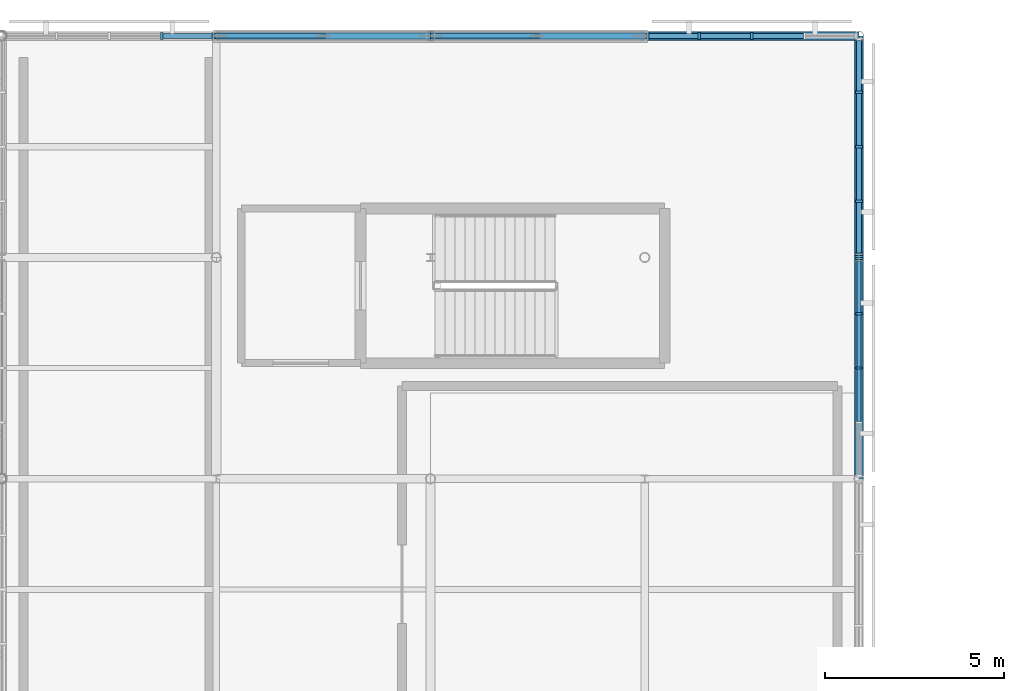
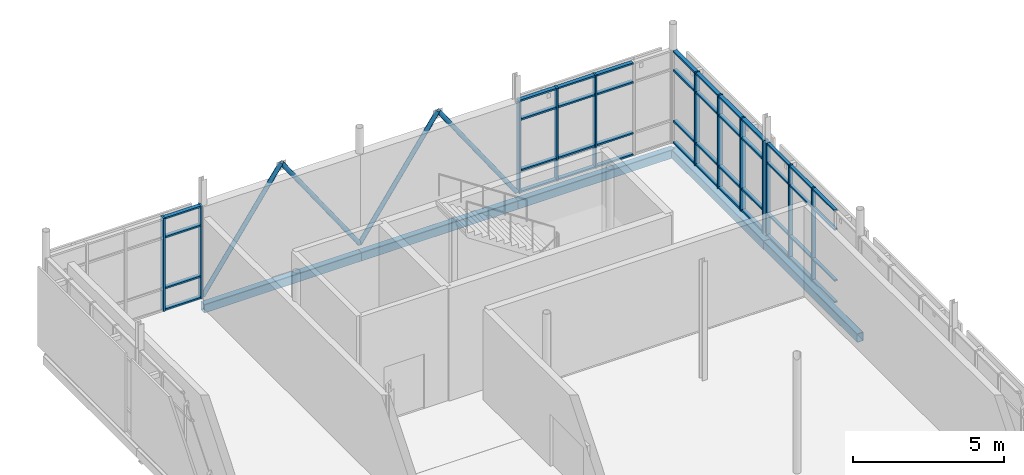
# One storey, part 34 of 48: 60 members, 5 beams, 4 elements without a shape of their own.
"""IFC4 building model written with IfcOpenShell, lengths in metres."""

from ifc_helpers import new_model, si_unit, direction, frame, origin, origin_2d, place, context, subcontext, project, spatial, rectangle, hollow_rectangle, hollow_circle, extrude, material, layer, layer_set, material_profile, profile_set, type_object, element, aggregate, save


model = new_model("IFC4")

# Units and contexts
model_context = context("Model", 3, precision=1e-05, world=origin(), true_north=direction((0.0, 1.0)))
body_context = subcontext(model_context, "Body", "Model", "MODEL_VIEW")
ifc_project = project(units=[si_unit("LENGTHUNIT", "METRE"), si_unit("AREAUNIT", "SQUARE_METRE"), si_unit("VOLUMEUNIT", "CUBIC_METRE"), si_unit("PLANEANGLEUNIT", "RADIAN"), si_unit("MASSUNIT", "GRAM", prefix="KILO")], contexts=[model_context])

# Site, building, storey
site_placement = place(None, origin())
site = spatial("IfcSite", under=ifc_project, at=site_placement, CompositionType="ELEMENT")
building_placement = place(site_placement, origin())
building = spatial("IfcBuilding", under=site, at=building_placement, Name="Mirzam Square Science Centre", CompositionType="ELEMENT")
storey_placement = place(building_placement, frame((0.0, 0.0, 20.39990234375)))
storey = spatial("IfcBuildingStorey", under=building, at=storey_placement, Name="L04", CompositionType="ELEMENT", Elevation=20.39990234375)

# Members
ifc_material_1 = material(Name="Steel S355", Category="steel")
ifc_material_profile_1 = material_profile(ifc_material_1, hollow_circle(Radius=0.084228515625, WallThickness=0.008056640625, at=origin_2d()), Name="168.3x8.0CHS")
ifc_profile_set_1 = profile_set([ifc_material_profile_1], Name="Steel S355")
member_type_1 = type_object("IfcMemberType", Name="BR-CHS168", PredefinedType="BRACE", material=ifc_profile_set_1)
for number, where, z_axis, x_axis, name in (
    (1, (120.0, 111.60009765625, 0.050048828125), (0.56995502797, 0.0, 0.821675888712), (0.0, 1.0, 0.0), "L04 chevron brace 8A"),
    (2, (126.0, 111.60009765625, 0.050048828125), (-0.56995502797, 0.0, 0.821675888712), (0.0, -1.0, 0.0), "L04 chevron brace 8B"),
    (3, (126.0, 111.60009765625, 0.050048828125), (0.56995502797, 0.0, 0.821675888712), (0.0, 1.0, 0.0), "L04 chevron brace 9A"),
    (4, (132.0, 111.60009765625, 0.050048828125), (-0.56995502797, 0.0, 0.821675888712), (0.0, -1.0, 0.0), "L04 chevron brace 9B"),
):
    element("IfcMember", number, at=place(storey_placement, frame(where, z_axis=z_axis, x_axis=x_axis)), inside=storey, type_object=member_type_1, Name=name, PredefinedType="BRACE", context=body_context, shape_type="SweptSolid", body=[
        extrude(hollow_circle(Radius=0.084228515625, WallThickness=0.008056640625, at=origin_2d()), origin(), (0.0, 0.0, 1.0), 5.263671875),
    ])

# Curtain wall, members
ifc_material_2 = material(Name="Anodised Aluminium and Low-E Solar Glass", Category="aluminium")
ifc_layer_1 = layer(ifc_material_2, 0.219970703125)
ifc_layer_set_1 = layer_set([ifc_layer_1], Name="CW-OBS-A")
curtain_wall_type_1 = type_object("IfcCurtainWallType", Name="CW-OBS-A", PredefinedType="USERDEFINED", material=ifc_layer_set_1)
curtain_wall_1_placement = place(storey_placement, origin())
curtain_wall_1 = element("IfcCurtainWall", 5, at=curtain_wall_1_placement, inside=storey, type_object=curtain_wall_type_1, Name="L04 unitised curtain wall 163", ObjectType="UNITISED CURTAIN WALL", PredefinedType="USERDEFINED")
ifc_material_3 = material(Name="Anodised Architectural Aluminium 6063-T6", Category="aluminium")
ifc_material_profile_2 = material_profile(ifc_material_3, rectangle(XDim=0.06005859375, YDim=0.159912109375, at=origin_2d()), Name="ALU-MULL-160x60x4")
ifc_profile_set_2 = profile_set([ifc_material_profile_2], Name="Anodised Architectural Aluminium 6063-T6")
member_type_2 = type_object("IfcMemberType", Name="CWM-160", PredefinedType="MULLION", material=ifc_profile_set_2)
member_1_placement = place(storey_placement, frame((138.0, 102.300048828125, 0.0), z_axis=(0.0, 0.0, 1.0), x_axis=(0.0, 1.0, 0.0)))
member_1 = element("IfcMember", 6, at=member_1_placement, type_object=member_type_2, Name="CW-07 mullion 3", PredefinedType="MULLION", context=body_context, shape_type="SweptSolid", body=[
    extrude(rectangle(XDim=0.06005859375, YDim=0.159912109375, at=origin_2d()), origin(), (0.0, 0.0, 1.0), 3.760009765625),
])
member_2_placement = place(storey_placement, frame((138.0, 103.822509765625, 0.0), z_axis=(0.0, 0.0, 1.0), x_axis=(0.0, 1.0, 0.0)))
member_2 = element("IfcMember", 7, at=member_2_placement, type_object=member_type_2, Name="CW-07 mullion 4", PredefinedType="MULLION", context=body_context, shape_type="SweptSolid", body=[
    extrude(rectangle(XDim=0.06005859375, YDim=0.159912109375, at=origin_2d()), origin(), (0.0, 0.0, 1.0), 3.760009765625),
])
member_3_placement = place(storey_placement, frame((138.0, 105.31494140625, 0.0), z_axis=(0.0, 0.0, 1.0), x_axis=(0.0, 1.0, 0.0)))
member_3 = element("IfcMember", 8, at=member_3_placement, type_object=member_type_2, Name="CW-07 mullion 5", PredefinedType="MULLION", context=body_context, shape_type="SweptSolid", body=[
    extrude(rectangle(XDim=0.06005859375, YDim=0.159912109375, at=origin_2d()), origin(), (0.0, 0.0, 1.0), 3.760009765625),
])

ifc_layer_2 = layer(ifc_material_2, 0.159912109375)
ifc_layer_set_2 = layer_set([ifc_layer_2], Name="CW-COURT-B")
curtain_wall_type_2 = type_object("IfcCurtainWallType", Name="CW-COURT-B", PredefinedType="USERDEFINED", material=ifc_layer_set_2)
curtain_wall_2_placement = place(storey_placement, origin())
curtain_wall_2 = element("IfcCurtainWall", 9, at=curtain_wall_2_placement, inside=storey, type_object=curtain_wall_type_2, Name="L04 unitised curtain wall 156", ObjectType="UNITISED CURTAIN WALL", PredefinedType="USERDEFINED")
ifc_material_profile_3 = material_profile(ifc_material_3, rectangle(XDim=0.06494140625, YDim=0.199951171875, at=origin_2d()), Name="ALU-MULL-200x65x5")
ifc_profile_set_3 = profile_set([ifc_material_profile_3], Name="Anodised Architectural Aluminium 6063-T6")
member_type_3 = type_object("IfcMemberType", Name="CWM-200", PredefinedType="MULLION", material=ifc_profile_set_3)
member_4_placement = place(storey_placement, frame((119.91259765625, 111.60009765625, 0.0), z_axis=(0.0, 0.0, 1.0), x_axis=(-1.0, 0.0, 0.0)))
member_4 = element("IfcMember", 10, at=member_4_placement, type_object=member_type_3, Name="CW-04 mullion 1", PredefinedType="MULLION", context=body_context, shape_type="SweptSolid", body=[
    extrude(rectangle(XDim=0.06494140625, YDim=0.199951171875, at=origin_2d()), origin(), (0.0, 0.0, 1.0), 3.760009765625),
])
member_5_placement = place(storey_placement, frame((118.472412109375, 111.60009765625, 0.0), z_axis=(0.0, 0.0, 1.0), x_axis=(-1.0, 0.0, 0.0)))
member_5 = element("IfcMember", 11, at=member_5_placement, type_object=member_type_3, Name="CW-04 mullion 2", PredefinedType="MULLION", context=body_context, shape_type="SweptSolid", body=[
    extrude(rectangle(XDim=0.06494140625, YDim=0.199951171875, at=origin_2d()), origin(), (0.0, 0.0, 1.0), 3.760009765625),
])

curtain_wall_3_placement = place(storey_placement, origin())
curtain_wall_3 = element("IfcCurtainWall", 12, at=curtain_wall_3_placement, inside=storey, type_object=curtain_wall_type_1, Name="L04 unitised curtain wall 157", ObjectType="UNITISED CURTAIN WALL", PredefinedType="USERDEFINED")
member_6_placement = place(storey_placement, frame((135.0, 111.60009765625, 0.0), z_axis=(0.0, 0.0, 1.0), x_axis=(-1.0, 0.0, 0.0)))
member_6 = element("IfcMember", 13, at=member_6_placement, type_object=member_type_3, Name="CW-07 mullion 3", PredefinedType="MULLION", context=body_context, shape_type="SweptSolid", body=[
    extrude(rectangle(XDim=0.06494140625, YDim=0.199951171875, at=origin_2d()), origin(), (0.0, 0.0, 1.0), 3.760009765625),
])
member_7_placement = place(storey_placement, frame((133.527587890625, 111.60009765625, 0.0), z_axis=(0.0, 0.0, 1.0), x_axis=(-1.0, 0.0, 0.0)))
member_7 = element("IfcMember", 14, at=member_7_placement, type_object=member_type_3, Name="CW-07 mullion 4", PredefinedType="MULLION", context=body_context, shape_type="SweptSolid", body=[
    extrude(rectangle(XDim=0.06494140625, YDim=0.199951171875, at=origin_2d()), origin(), (0.0, 0.0, 1.0), 3.760009765625),
])
member_8_placement = place(storey_placement, frame((132.08740234375, 111.60009765625, 0.0), z_axis=(0.0, 0.0, 1.0), x_axis=(-1.0, 0.0, 0.0)))
member_8 = element("IfcMember", 15, at=member_8_placement, type_object=member_type_3, Name="CW-07 mullion 5", PredefinedType="MULLION", context=body_context, shape_type="SweptSolid", body=[
    extrude(rectangle(XDim=0.06494140625, YDim=0.199951171875, at=origin_2d()), origin(), (0.0, 0.0, 1.0), 3.760009765625),
])

ifc_layer_3 = layer(ifc_material_2, 0.179931640625)
ifc_layer_set_3 = layer_set([ifc_layer_3], Name="CW-LINK-A")
curtain_wall_type_3 = type_object("IfcCurtainWallType", Name="CW-LINK-A", PredefinedType="USERDEFINED", material=ifc_layer_set_3)
curtain_wall_4_placement = place(storey_placement, origin())
curtain_wall_4 = element("IfcCurtainWall", 16, at=curtain_wall_4_placement, inside=storey, type_object=curtain_wall_type_3, Name="L04 unitised curtain wall 165", ObjectType="UNITISED CURTAIN WALL", PredefinedType="USERDEFINED")
member_9_placement = place(storey_placement, frame((138.0, 105.487548828125, 0.0), z_axis=(0.0, 0.0, 1.0), x_axis=(0.0, 1.0, 0.0)))
member_9 = element("IfcMember", 17, at=member_9_placement, type_object=member_type_3, Name="CW-08 mullion 1", PredefinedType="MULLION", context=body_context, shape_type="SweptSolid", body=[
    extrude(rectangle(XDim=0.06494140625, YDim=0.199951171875, at=origin_2d()), origin(), (0.0, 0.0, 1.0), 3.760009765625),
])
member_10_placement = place(storey_placement, frame((138.0, 106.9775390625, 0.0), z_axis=(0.0, 0.0, 1.0), x_axis=(0.0, 1.0, 0.0)))
member_10 = element("IfcMember", 18, at=member_10_placement, type_object=member_type_3, Name="CW-08 mullion 2", PredefinedType="MULLION", context=body_context, shape_type="SweptSolid", body=[
    extrude(rectangle(XDim=0.06494140625, YDim=0.199951171875, at=origin_2d()), origin(), (0.0, 0.0, 1.0), 3.760009765625),
])
member_11_placement = place(storey_placement, frame((138.0, 108.5, 0.0), z_axis=(0.0, 0.0, 1.0), x_axis=(0.0, 1.0, 0.0)))
member_11 = element("IfcMember", 19, at=member_11_placement, type_object=member_type_3, Name="CW-08 mullion 3", PredefinedType="MULLION", context=body_context, shape_type="SweptSolid", body=[
    extrude(rectangle(XDim=0.06494140625, YDim=0.199951171875, at=origin_2d()), origin(), (0.0, 0.0, 1.0), 3.760009765625),
])
member_12_placement = place(storey_placement, frame((138.0, 110.0224609375, 0.0), z_axis=(0.0, 0.0, 1.0), x_axis=(0.0, 1.0, 0.0)))
member_12 = element("IfcMember", 20, at=member_12_placement, type_object=member_type_3, Name="CW-08 mullion 4", PredefinedType="MULLION", context=body_context, shape_type="SweptSolid", body=[
    extrude(rectangle(XDim=0.06494140625, YDim=0.199951171875, at=origin_2d()), origin(), (0.0, 0.0, 1.0), 3.760009765625),
])

# Member
ifc_material_profile_4 = material_profile(ifc_material_3, rectangle(XDim=0.1201171875, YDim=0.06005859375, at=origin_2d()), Name="ALU-TRAN-120x60x4")
ifc_profile_set_4 = profile_set([ifc_material_profile_4], Name="Anodised Architectural Aluminium 6063-T6")
member_type_4 = type_object("IfcMemberType", Name="CWT-120", PredefinedType="USERDEFINED", material=ifc_profile_set_4)
member_13_placement = place(storey_placement, frame((138.0, 100.8076171875, 0.030029296875), z_axis=(0.0, 1.0, 0.0), x_axis=(-1.0, 0.0, 0.0)))
member_13 = element("IfcMember", 21, at=member_13_placement, type_object=member_type_4, Name="CW-07 transom 2.1", ObjectType="TRANSOM", PredefinedType="USERDEFINED", context=body_context, shape_type="SweptSolid", body=[
    extrude(rectangle(XDim=0.1201171875, YDim=0.06005859375, at=origin_2d()), origin(), (0.0, 0.0, 1.0), 1.46240234375),
])

member_14_placement = place(storey_placement, frame((138.0, 100.8076171875, 0.900146484375), z_axis=(0.0, 1.0, 0.0), x_axis=(-1.0, 0.0, 0.0)))
member_14 = element("IfcMember", 22, at=member_14_placement, type_object=member_type_4, Name="CW-07 transom 2.2", ObjectType="TRANSOM", PredefinedType="USERDEFINED", context=body_context, shape_type="SweptSolid", body=[
    extrude(rectangle(XDim=0.1201171875, YDim=0.06005859375, at=origin_2d()), origin(), (0.0, 0.0, 1.0), 1.46240234375),
])

member_15_placement = place(storey_placement, frame((138.0, 100.8076171875, 2.960205078125), z_axis=(0.0, 1.0, 0.0), x_axis=(-1.0, 0.0, 0.0)))
member_15 = element("IfcMember", 23, at=member_15_placement, type_object=member_type_4, Name="CW-07 transom 2.3", ObjectType="TRANSOM", PredefinedType="USERDEFINED", context=body_context, shape_type="SweptSolid", body=[
    extrude(rectangle(XDim=0.1201171875, YDim=0.06005859375, at=origin_2d()), origin(), (0.0, 0.0, 1.0), 1.46240234375),
])

member_16_placement = place(storey_placement, frame((138.0, 100.8076171875, 3.72998046875), z_axis=(0.0, 1.0, 0.0), x_axis=(-1.0, 0.0, 0.0)))
member_16 = element("IfcMember", 24, at=member_16_placement, type_object=member_type_4, Name="CW-07 transom 2.4", ObjectType="TRANSOM", PredefinedType="USERDEFINED", context=body_context, shape_type="SweptSolid", body=[
    extrude(rectangle(XDim=0.1201171875, YDim=0.06005859375, at=origin_2d()), origin(), (0.0, 0.0, 1.0), 1.46240234375),
])

member_17_placement = place(storey_placement, frame((138.0, 102.330078125, 0.030029296875), z_axis=(0.0, 1.0, 0.0), x_axis=(-1.0, 0.0, 0.0)))
member_17 = element("IfcMember", 25, at=member_17_placement, type_object=member_type_4, Name="CW-07 transom 3.1", ObjectType="TRANSOM", PredefinedType="USERDEFINED", context=body_context, shape_type="SweptSolid", body=[
    extrude(rectangle(XDim=0.1201171875, YDim=0.06005859375, at=origin_2d()), origin(), (0.0, 0.0, 1.0), 1.46240234375),
])

member_18_placement = place(storey_placement, frame((138.0, 102.330078125, 0.900146484375), z_axis=(0.0, 1.0, 0.0), x_axis=(-1.0, 0.0, 0.0)))
member_18 = element("IfcMember", 26, at=member_18_placement, type_object=member_type_4, Name="CW-07 transom 3.2", ObjectType="TRANSOM", PredefinedType="USERDEFINED", context=body_context, shape_type="SweptSolid", body=[
    extrude(rectangle(XDim=0.1201171875, YDim=0.06005859375, at=origin_2d()), origin(), (0.0, 0.0, 1.0), 1.46240234375),
])

member_19_placement = place(storey_placement, frame((138.0, 102.330078125, 2.960205078125), z_axis=(0.0, 1.0, 0.0), x_axis=(-1.0, 0.0, 0.0)))
member_19 = element("IfcMember", 27, at=member_19_placement, type_object=member_type_4, Name="CW-07 transom 3.3", ObjectType="TRANSOM", PredefinedType="USERDEFINED", context=body_context, shape_type="SweptSolid", body=[
    extrude(rectangle(XDim=0.1201171875, YDim=0.06005859375, at=origin_2d()), origin(), (0.0, 0.0, 1.0), 1.46240234375),
])

member_20_placement = place(storey_placement, frame((138.0, 102.330078125, 3.72998046875), z_axis=(0.0, 1.0, 0.0), x_axis=(-1.0, 0.0, 0.0)))
member_20 = element("IfcMember", 28, at=member_20_placement, type_object=member_type_4, Name="CW-07 transom 3.4", ObjectType="TRANSOM", PredefinedType="USERDEFINED", context=body_context, shape_type="SweptSolid", body=[
    extrude(rectangle(XDim=0.1201171875, YDim=0.06005859375, at=origin_2d()), origin(), (0.0, 0.0, 1.0), 1.46240234375),
])

member_21_placement = place(storey_placement, frame((138.0, 103.8525390625, 0.030029296875), z_axis=(0.0, 1.0, 0.0), x_axis=(-1.0, 0.0, 0.0)))
member_21 = element("IfcMember", 29, at=member_21_placement, type_object=member_type_4, Name="CW-07 transom 4.1", ObjectType="TRANSOM", PredefinedType="USERDEFINED", context=body_context, shape_type="SweptSolid", body=[
    extrude(rectangle(XDim=0.1201171875, YDim=0.06005859375, at=origin_2d()), origin(), (0.0, 0.0, 1.0), 1.432373046875),
])

member_22_placement = place(storey_placement, frame((138.0, 103.8525390625, 0.900146484375), z_axis=(0.0, 1.0, 0.0), x_axis=(-1.0, 0.0, 0.0)))
member_22 = element("IfcMember", 30, at=member_22_placement, type_object=member_type_4, Name="CW-07 transom 4.2", ObjectType="TRANSOM", PredefinedType="USERDEFINED", context=body_context, shape_type="SweptSolid", body=[
    extrude(rectangle(XDim=0.1201171875, YDim=0.06005859375, at=origin_2d()), origin(), (0.0, 0.0, 1.0), 1.432373046875),
])

member_23_placement = place(storey_placement, frame((138.0, 103.8525390625, 2.960205078125), z_axis=(0.0, 1.0, 0.0), x_axis=(-1.0, 0.0, 0.0)))
member_23 = element("IfcMember", 31, at=member_23_placement, type_object=member_type_4, Name="CW-07 transom 4.3", ObjectType="TRANSOM", PredefinedType="USERDEFINED", context=body_context, shape_type="SweptSolid", body=[
    extrude(rectangle(XDim=0.1201171875, YDim=0.06005859375, at=origin_2d()), origin(), (0.0, 0.0, 1.0), 1.432373046875),
])

member_24_placement = place(storey_placement, frame((138.0, 103.8525390625, 3.72998046875), z_axis=(0.0, 1.0, 0.0), x_axis=(-1.0, 0.0, 0.0)))
member_24 = element("IfcMember", 32, at=member_24_placement, type_object=member_type_4, Name="CW-07 transom 4.4", ObjectType="TRANSOM", PredefinedType="USERDEFINED", context=body_context, shape_type="SweptSolid", body=[
    extrude(rectangle(XDim=0.1201171875, YDim=0.06005859375, at=origin_2d()), origin(), (0.0, 0.0, 1.0), 1.432373046875),
])

aggregate(curtain_wall_1, [member_1, member_2, member_3, member_13, member_14, member_15, member_16, member_17, member_18, member_19, member_20, member_21, member_22, member_23, member_24])

ifc_material_profile_5 = material_profile(ifc_material_3, rectangle(XDim=0.14990234375, YDim=0.06494140625, at=origin_2d()), Name="ALU-TRAN-150x65x4")
ifc_profile_set_5 = profile_set([ifc_material_profile_5], Name="Anodised Architectural Aluminium 6063-T6")
member_type_5 = type_object("IfcMemberType", Name="CWT-150", PredefinedType="USERDEFINED", material=ifc_profile_set_5)
member_25_placement = place(storey_placement, frame((119.8798828125, 111.60009765625, 0.03271484375), z_axis=(-1.0, 0.0, 0.0), x_axis=(0.0, -1.0, 0.0)))
member_25 = element("IfcMember", 33, at=member_25_placement, type_object=member_type_5, Name="CW-04 transom 1.1", ObjectType="TRANSOM", PredefinedType="USERDEFINED", context=body_context, shape_type="SweptSolid", body=[
    extrude(rectangle(XDim=0.14990234375, YDim=0.06494140625, at=origin_2d()), origin(), (0.0, 0.0, 1.0), 1.375),
])

member_26_placement = place(storey_placement, frame((119.8798828125, 111.60009765625, 0.900146484375), z_axis=(-1.0, 0.0, 0.0), x_axis=(0.0, -1.0, 0.0)))
member_26 = element("IfcMember", 34, at=member_26_placement, type_object=member_type_5, Name="CW-04 transom 1.2", ObjectType="TRANSOM", PredefinedType="USERDEFINED", context=body_context, shape_type="SweptSolid", body=[
    extrude(rectangle(XDim=0.14990234375, YDim=0.06494140625, at=origin_2d()), origin(), (0.0, 0.0, 1.0), 1.375),
])

member_27_placement = place(storey_placement, frame((119.8798828125, 111.60009765625, 2.960205078125), z_axis=(-1.0, 0.0, 0.0), x_axis=(0.0, -1.0, 0.0)))
member_27 = element("IfcMember", 35, at=member_27_placement, type_object=member_type_5, Name="CW-04 transom 1.3", ObjectType="TRANSOM", PredefinedType="USERDEFINED", context=body_context, shape_type="SweptSolid", body=[
    extrude(rectangle(XDim=0.14990234375, YDim=0.06494140625, at=origin_2d()), origin(), (0.0, 0.0, 1.0), 1.375),
])

member_28_placement = place(storey_placement, frame((119.8798828125, 111.60009765625, 3.7275390625), z_axis=(-1.0, 0.0, 0.0), x_axis=(0.0, -1.0, 0.0)))
member_28 = element("IfcMember", 36, at=member_28_placement, type_object=member_type_5, Name="CW-04 transom 1.4", ObjectType="TRANSOM", PredefinedType="USERDEFINED", context=body_context, shape_type="SweptSolid", body=[
    extrude(rectangle(XDim=0.14990234375, YDim=0.06494140625, at=origin_2d()), origin(), (0.0, 0.0, 1.0), 1.375),
])

aggregate(curtain_wall_2, [member_4, member_5, member_25, member_26, member_27, member_28])

member_29_placement = place(storey_placement, frame((136.43994140625, 111.60009765625, 0.03271484375), z_axis=(-1.0, 0.0, 0.0), x_axis=(0.0, -1.0, 0.0)))
member_29 = element("IfcMember", 37, at=member_29_placement, type_object=member_type_5, Name="CW-07 transom 2.1", ObjectType="TRANSOM", PredefinedType="USERDEFINED", context=body_context, shape_type="SweptSolid", body=[
    extrude(rectangle(XDim=0.14990234375, YDim=0.06494140625, at=origin_2d()), origin(), (0.0, 0.0, 1.0), 1.407470703125),
])

member_30_placement = place(storey_placement, frame((136.43994140625, 111.60009765625, 0.900146484375), z_axis=(-1.0, 0.0, 0.0), x_axis=(0.0, -1.0, 0.0)))
member_30 = element("IfcMember", 38, at=member_30_placement, type_object=member_type_5, Name="CW-07 transom 2.2", ObjectType="TRANSOM", PredefinedType="USERDEFINED", context=body_context, shape_type="SweptSolid", body=[
    extrude(rectangle(XDim=0.14990234375, YDim=0.06494140625, at=origin_2d()), origin(), (0.0, 0.0, 1.0), 1.407470703125),
])

member_31_placement = place(storey_placement, frame((136.43994140625, 111.60009765625, 2.960205078125), z_axis=(-1.0, 0.0, 0.0), x_axis=(0.0, -1.0, 0.0)))
member_31 = element("IfcMember", 39, at=member_31_placement, type_object=member_type_5, Name="CW-07 transom 2.3", ObjectType="TRANSOM", PredefinedType="USERDEFINED", context=body_context, shape_type="SweptSolid", body=[
    extrude(rectangle(XDim=0.14990234375, YDim=0.06494140625, at=origin_2d()), origin(), (0.0, 0.0, 1.0), 1.407470703125),
])

member_32_placement = place(storey_placement, frame((136.43994140625, 111.60009765625, 3.7275390625), z_axis=(-1.0, 0.0, 0.0), x_axis=(0.0, -1.0, 0.0)))
member_32 = element("IfcMember", 40, at=member_32_placement, type_object=member_type_5, Name="CW-07 transom 2.4", ObjectType="TRANSOM", PredefinedType="USERDEFINED", context=body_context, shape_type="SweptSolid", body=[
    extrude(rectangle(XDim=0.14990234375, YDim=0.06494140625, at=origin_2d()), origin(), (0.0, 0.0, 1.0), 1.407470703125),
])

member_33_placement = place(storey_placement, frame((134.967529296875, 111.60009765625, 0.03271484375), z_axis=(-1.0, 0.0, 0.0), x_axis=(0.0, -1.0, 0.0)))
member_33 = element("IfcMember", 41, at=member_33_placement, type_object=member_type_5, Name="CW-07 transom 3.1", ObjectType="TRANSOM", PredefinedType="USERDEFINED", context=body_context, shape_type="SweptSolid", body=[
    extrude(rectangle(XDim=0.14990234375, YDim=0.06494140625, at=origin_2d()), origin(), (0.0, 0.0, 1.0), 1.407470703125),
])

member_34_placement = place(storey_placement, frame((134.967529296875, 111.60009765625, 0.900146484375), z_axis=(-1.0, 0.0, 0.0), x_axis=(0.0, -1.0, 0.0)))
member_34 = element("IfcMember", 42, at=member_34_placement, type_object=member_type_5, Name="CW-07 transom 3.2", ObjectType="TRANSOM", PredefinedType="USERDEFINED", context=body_context, shape_type="SweptSolid", body=[
    extrude(rectangle(XDim=0.14990234375, YDim=0.06494140625, at=origin_2d()), origin(), (0.0, 0.0, 1.0), 1.407470703125),
])

member_35_placement = place(storey_placement, frame((134.967529296875, 111.60009765625, 2.960205078125), z_axis=(-1.0, 0.0, 0.0), x_axis=(0.0, -1.0, 0.0)))
member_35 = element("IfcMember", 43, at=member_35_placement, type_object=member_type_5, Name="CW-07 transom 3.3", ObjectType="TRANSOM", PredefinedType="USERDEFINED", context=body_context, shape_type="SweptSolid", body=[
    extrude(rectangle(XDim=0.14990234375, YDim=0.06494140625, at=origin_2d()), origin(), (0.0, 0.0, 1.0), 1.407470703125),
])

member_36_placement = place(storey_placement, frame((134.967529296875, 111.60009765625, 3.7275390625), z_axis=(-1.0, 0.0, 0.0), x_axis=(0.0, -1.0, 0.0)))
member_36 = element("IfcMember", 44, at=member_36_placement, type_object=member_type_5, Name="CW-07 transom 3.4", ObjectType="TRANSOM", PredefinedType="USERDEFINED", context=body_context, shape_type="SweptSolid", body=[
    extrude(rectangle(XDim=0.14990234375, YDim=0.06494140625, at=origin_2d()), origin(), (0.0, 0.0, 1.0), 1.407470703125),
])

member_37_placement = place(storey_placement, frame((133.4951171875, 111.60009765625, 0.03271484375), z_axis=(-1.0, 0.0, 0.0), x_axis=(0.0, -1.0, 0.0)))
member_37 = element("IfcMember", 45, at=member_37_placement, type_object=member_type_5, Name="CW-07 transom 4.1", ObjectType="TRANSOM", PredefinedType="USERDEFINED", context=body_context, shape_type="SweptSolid", body=[
    extrude(rectangle(XDim=0.14990234375, YDim=0.06494140625, at=origin_2d()), origin(), (0.0, 0.0, 1.0), 1.375),
])

member_38_placement = place(storey_placement, frame((133.4951171875, 111.60009765625, 0.900146484375), z_axis=(-1.0, 0.0, 0.0), x_axis=(0.0, -1.0, 0.0)))
member_38 = element("IfcMember", 46, at=member_38_placement, type_object=member_type_5, Name="CW-07 transom 4.2", ObjectType="TRANSOM", PredefinedType="USERDEFINED", context=body_context, shape_type="SweptSolid", body=[
    extrude(rectangle(XDim=0.14990234375, YDim=0.06494140625, at=origin_2d()), origin(), (0.0, 0.0, 1.0), 1.375),
])

member_39_placement = place(storey_placement, frame((133.4951171875, 111.60009765625, 2.960205078125), z_axis=(-1.0, 0.0, 0.0), x_axis=(0.0, -1.0, 0.0)))
member_39 = element("IfcMember", 47, at=member_39_placement, type_object=member_type_5, Name="CW-07 transom 4.3", ObjectType="TRANSOM", PredefinedType="USERDEFINED", context=body_context, shape_type="SweptSolid", body=[
    extrude(rectangle(XDim=0.14990234375, YDim=0.06494140625, at=origin_2d()), origin(), (0.0, 0.0, 1.0), 1.375),
])

member_40_placement = place(storey_placement, frame((133.4951171875, 111.60009765625, 3.7275390625), z_axis=(-1.0, 0.0, 0.0), x_axis=(0.0, -1.0, 0.0)))
member_40 = element("IfcMember", 48, at=member_40_placement, type_object=member_type_5, Name="CW-07 transom 4.4", ObjectType="TRANSOM", PredefinedType="USERDEFINED", context=body_context, shape_type="SweptSolid", body=[
    extrude(rectangle(XDim=0.14990234375, YDim=0.06494140625, at=origin_2d()), origin(), (0.0, 0.0, 1.0), 1.375),
])

aggregate(curtain_wall_3, [member_6, member_7, member_8, member_29, member_30, member_31, member_32, member_33, member_34, member_35, member_36, member_37, member_38, member_39, member_40])

member_41_placement = place(storey_placement, frame((138.0, 105.52001953125, 0.03271484375), z_axis=(0.0, 1.0, 0.0), x_axis=(-1.0, 0.0, 0.0)))
member_41 = element("IfcMember", 49, at=member_41_placement, type_object=member_type_5, Name="CW-08 transom 1.1", ObjectType="TRANSOM", PredefinedType="USERDEFINED", context=body_context, shape_type="SweptSolid", body=[
    extrude(rectangle(XDim=0.14990234375, YDim=0.06494140625, at=origin_2d()), origin(), (0.0, 0.0, 1.0), 1.425048828125),
])

member_42_placement = place(storey_placement, frame((138.0, 105.52001953125, 0.900146484375), z_axis=(0.0, 1.0, 0.0), x_axis=(-1.0, 0.0, 0.0)))
member_42 = element("IfcMember", 50, at=member_42_placement, type_object=member_type_5, Name="CW-08 transom 1.2", ObjectType="TRANSOM", PredefinedType="USERDEFINED", context=body_context, shape_type="SweptSolid", body=[
    extrude(rectangle(XDim=0.14990234375, YDim=0.06494140625, at=origin_2d()), origin(), (0.0, 0.0, 1.0), 1.425048828125),
])

member_43_placement = place(storey_placement, frame((138.0, 105.52001953125, 2.960205078125), z_axis=(0.0, 1.0, 0.0), x_axis=(-1.0, 0.0, 0.0)))
member_43 = element("IfcMember", 51, at=member_43_placement, type_object=member_type_5, Name="CW-08 transom 1.3", ObjectType="TRANSOM", PredefinedType="USERDEFINED", context=body_context, shape_type="SweptSolid", body=[
    extrude(rectangle(XDim=0.14990234375, YDim=0.06494140625, at=origin_2d()), origin(), (0.0, 0.0, 1.0), 1.425048828125),
])

member_44_placement = place(storey_placement, frame((138.0, 105.52001953125, 3.7275390625), z_axis=(0.0, 1.0, 0.0), x_axis=(-1.0, 0.0, 0.0)))
member_44 = element("IfcMember", 52, at=member_44_placement, type_object=member_type_5, Name="CW-08 transom 1.4", ObjectType="TRANSOM", PredefinedType="USERDEFINED", context=body_context, shape_type="SweptSolid", body=[
    extrude(rectangle(XDim=0.14990234375, YDim=0.06494140625, at=origin_2d()), origin(), (0.0, 0.0, 1.0), 1.425048828125),
])

member_45_placement = place(storey_placement, frame((138.0, 107.010009765625, 0.03271484375), z_axis=(0.0, 1.0, 0.0), x_axis=(-1.0, 0.0, 0.0)))
member_45 = element("IfcMember", 53, at=member_45_placement, type_object=member_type_5, Name="CW-08 transom 2.1", ObjectType="TRANSOM", PredefinedType="USERDEFINED", context=body_context, shape_type="SweptSolid", body=[
    extrude(rectangle(XDim=0.14990234375, YDim=0.06494140625, at=origin_2d()), origin(), (0.0, 0.0, 1.0), 1.45751953125),
])

member_46_placement = place(storey_placement, frame((138.0, 107.010009765625, 0.900146484375), z_axis=(0.0, 1.0, 0.0), x_axis=(-1.0, 0.0, 0.0)))
member_46 = element("IfcMember", 54, at=member_46_placement, type_object=member_type_5, Name="CW-08 transom 2.2", ObjectType="TRANSOM", PredefinedType="USERDEFINED", context=body_context, shape_type="SweptSolid", body=[
    extrude(rectangle(XDim=0.14990234375, YDim=0.06494140625, at=origin_2d()), origin(), (0.0, 0.0, 1.0), 1.45751953125),
])

member_47_placement = place(storey_placement, frame((138.0, 107.010009765625, 2.960205078125), z_axis=(0.0, 1.0, 0.0), x_axis=(-1.0, 0.0, 0.0)))
member_47 = element("IfcMember", 55, at=member_47_placement, type_object=member_type_5, Name="CW-08 transom 2.3", ObjectType="TRANSOM", PredefinedType="USERDEFINED", context=body_context, shape_type="SweptSolid", body=[
    extrude(rectangle(XDim=0.14990234375, YDim=0.06494140625, at=origin_2d()), origin(), (0.0, 0.0, 1.0), 1.45751953125),
])

member_48_placement = place(storey_placement, frame((138.0, 107.010009765625, 3.7275390625), z_axis=(0.0, 1.0, 0.0), x_axis=(-1.0, 0.0, 0.0)))
member_48 = element("IfcMember", 56, at=member_48_placement, type_object=member_type_5, Name="CW-08 transom 2.4", ObjectType="TRANSOM", PredefinedType="USERDEFINED", context=body_context, shape_type="SweptSolid", body=[
    extrude(rectangle(XDim=0.14990234375, YDim=0.06494140625, at=origin_2d()), origin(), (0.0, 0.0, 1.0), 1.45751953125),
])

member_49_placement = place(storey_placement, frame((138.0, 108.532470703125, 0.03271484375), z_axis=(0.0, 1.0, 0.0), x_axis=(-1.0, 0.0, 0.0)))
member_49 = element("IfcMember", 57, at=member_49_placement, type_object=member_type_5, Name="CW-08 transom 3.1", ObjectType="TRANSOM", PredefinedType="USERDEFINED", context=body_context, shape_type="SweptSolid", body=[
    extrude(rectangle(XDim=0.14990234375, YDim=0.06494140625, at=origin_2d()), origin(), (0.0, 0.0, 1.0), 1.45751953125),
])

member_50_placement = place(storey_placement, frame((138.0, 108.532470703125, 0.900146484375), z_axis=(0.0, 1.0, 0.0), x_axis=(-1.0, 0.0, 0.0)))
member_50 = element("IfcMember", 58, at=member_50_placement, type_object=member_type_5, Name="CW-08 transom 3.2", ObjectType="TRANSOM", PredefinedType="USERDEFINED", context=body_context, shape_type="SweptSolid", body=[
    extrude(rectangle(XDim=0.14990234375, YDim=0.06494140625, at=origin_2d()), origin(), (0.0, 0.0, 1.0), 1.45751953125),
])

member_51_placement = place(storey_placement, frame((138.0, 108.532470703125, 2.960205078125), z_axis=(0.0, 1.0, 0.0), x_axis=(-1.0, 0.0, 0.0)))
member_51 = element("IfcMember", 59, at=member_51_placement, type_object=member_type_5, Name="CW-08 transom 3.3", ObjectType="TRANSOM", PredefinedType="USERDEFINED", context=body_context, shape_type="SweptSolid", body=[
    extrude(rectangle(XDim=0.14990234375, YDim=0.06494140625, at=origin_2d()), origin(), (0.0, 0.0, 1.0), 1.45751953125),
])

member_52_placement = place(storey_placement, frame((138.0, 108.532470703125, 3.7275390625), z_axis=(0.0, 1.0, 0.0), x_axis=(-1.0, 0.0, 0.0)))
member_52 = element("IfcMember", 60, at=member_52_placement, type_object=member_type_5, Name="CW-08 transom 3.4", ObjectType="TRANSOM", PredefinedType="USERDEFINED", context=body_context, shape_type="SweptSolid", body=[
    extrude(rectangle(XDim=0.14990234375, YDim=0.06494140625, at=origin_2d()), origin(), (0.0, 0.0, 1.0), 1.45751953125),
])

member_53_placement = place(storey_placement, frame((138.0, 110.054931640625, 0.03271484375), z_axis=(0.0, 1.0, 0.0), x_axis=(-1.0, 0.0, 0.0)))
member_53 = element("IfcMember", 61, at=member_53_placement, type_object=member_type_5, Name="CW-08 transom 4.1", ObjectType="TRANSOM", PredefinedType="USERDEFINED", context=body_context, shape_type="SweptSolid", body=[
    extrude(rectangle(XDim=0.14990234375, YDim=0.06494140625, at=origin_2d()), origin(), (0.0, 0.0, 1.0), 1.425048828125),
])

member_54_placement = place(storey_placement, frame((138.0, 110.054931640625, 0.900146484375), z_axis=(0.0, 1.0, 0.0), x_axis=(-1.0, 0.0, 0.0)))
member_54 = element("IfcMember", 62, at=member_54_placement, type_object=member_type_5, Name="CW-08 transom 4.2", ObjectType="TRANSOM", PredefinedType="USERDEFINED", context=body_context, shape_type="SweptSolid", body=[
    extrude(rectangle(XDim=0.14990234375, YDim=0.06494140625, at=origin_2d()), origin(), (0.0, 0.0, 1.0), 1.425048828125),
])

member_55_placement = place(storey_placement, frame((138.0, 110.054931640625, 2.960205078125), z_axis=(0.0, 1.0, 0.0), x_axis=(-1.0, 0.0, 0.0)))
member_55 = element("IfcMember", 63, at=member_55_placement, type_object=member_type_5, Name="CW-08 transom 4.3", ObjectType="TRANSOM", PredefinedType="USERDEFINED", context=body_context, shape_type="SweptSolid", body=[
    extrude(rectangle(XDim=0.14990234375, YDim=0.06494140625, at=origin_2d()), origin(), (0.0, 0.0, 1.0), 1.425048828125),
])

member_56_placement = place(storey_placement, frame((138.0, 110.054931640625, 3.7275390625), z_axis=(0.0, 1.0, 0.0), x_axis=(-1.0, 0.0, 0.0)))
member_56 = element("IfcMember", 64, at=member_56_placement, type_object=member_type_5, Name="CW-08 transom 4.4", ObjectType="TRANSOM", PredefinedType="USERDEFINED", context=body_context, shape_type="SweptSolid", body=[
    extrude(rectangle(XDim=0.14990234375, YDim=0.06494140625, at=origin_2d()), origin(), (0.0, 0.0, 1.0), 1.425048828125),
])

aggregate(curtain_wall_4, [member_9, member_10, member_11, member_12, member_41, member_42, member_43, member_44, member_45, member_46, member_47, member_48, member_49, member_50, member_51, member_52, member_53, member_54, member_55, member_56])

# Beams
ifc_material_profile_6 = material_profile(ifc_material_1, hollow_rectangle(XDim=0.25, YDim=0.35009765625, WallThickness=0.012451171875, InnerFilletRadius=0.012451171875, OuterFilletRadius=0.02490234375, at=origin_2d()), Name="350x250x12.5RHS")
ifc_profile_set_6 = profile_set([ifc_material_profile_6], Name="Steel S355")
beam_type = type_object("IfcBeamType", Name="SP-RHS350", PredefinedType="SPANDREL", material=ifc_profile_set_6)
for number, where, z_axis, x_axis, name in (
    (65, (120.0, 111.60009765625, -0.4248046875), (1.0, 0.0, 0.0), (0.0, 1.0, 0.0), "L04 girder X21-19"),
    (66, (126.0, 111.60009765625, -0.4248046875), (1.0, 0.0, 0.0), (0.0, 1.0, 0.0), "L04 girder X22-19"),
    (67, (132.0, 111.60009765625, -0.4248046875), (1.0, 0.0, 0.0), (0.0, 1.0, 0.0), "L04 girder X23-19"),
):
    element("IfcBeam", number, at=place(storey_placement, frame(where, z_axis=z_axis, x_axis=x_axis)), inside=storey, type_object=beam_type, Name=name, PredefinedType="SPANDREL", context=body_context, shape_type="SweptSolid", body=[
        extrude(hollow_rectangle(XDim=0.25, YDim=0.35009765625, WallThickness=0.012451171875, InnerFilletRadius=0.012451171875, OuterFilletRadius=0.02490234375, at=origin_2d()), origin(), (0.0, 0.0, 1.0), 6.0),
    ])
beam_1_placement = place(storey_placement, frame((138.0, 99.199951171875, -0.4248046875), z_axis=(0.0, 1.0, 0.0), x_axis=(-1.0, 0.0, 0.0)))
element("IfcBeam", 68, at=beam_1_placement, inside=storey, type_object=beam_type, Name="L04 girder Y24-17", PredefinedType="SPANDREL", context=body_context, shape_type="SweptSolid", body=[
    extrude(hollow_rectangle(XDim=0.25, YDim=0.35009765625, WallThickness=0.012451171875, InnerFilletRadius=0.012451171875, OuterFilletRadius=0.02490234375, at=origin_2d()), origin(), (0.0, 0.0, 1.0), 6.199951171875),
])
beam_2_placement = place(storey_placement, frame((138.0, 105.39990234375, -0.4248046875), z_axis=(0.0, 1.0, 0.0), x_axis=(-1.0, 0.0, 0.0)))
element("IfcBeam", 69, at=beam_2_placement, inside=storey, type_object=beam_type, Name="L04 girder Y24-18", PredefinedType="SPANDREL", context=body_context, shape_type="SweptSolid", body=[
    extrude(hollow_rectangle(XDim=0.25, YDim=0.35009765625, WallThickness=0.012451171875, InnerFilletRadius=0.012451171875, OuterFilletRadius=0.02490234375, at=origin_2d()), origin(), (0.0, 0.0, 1.0), 6.2001953125),
])

save(model, "model.ifc")
